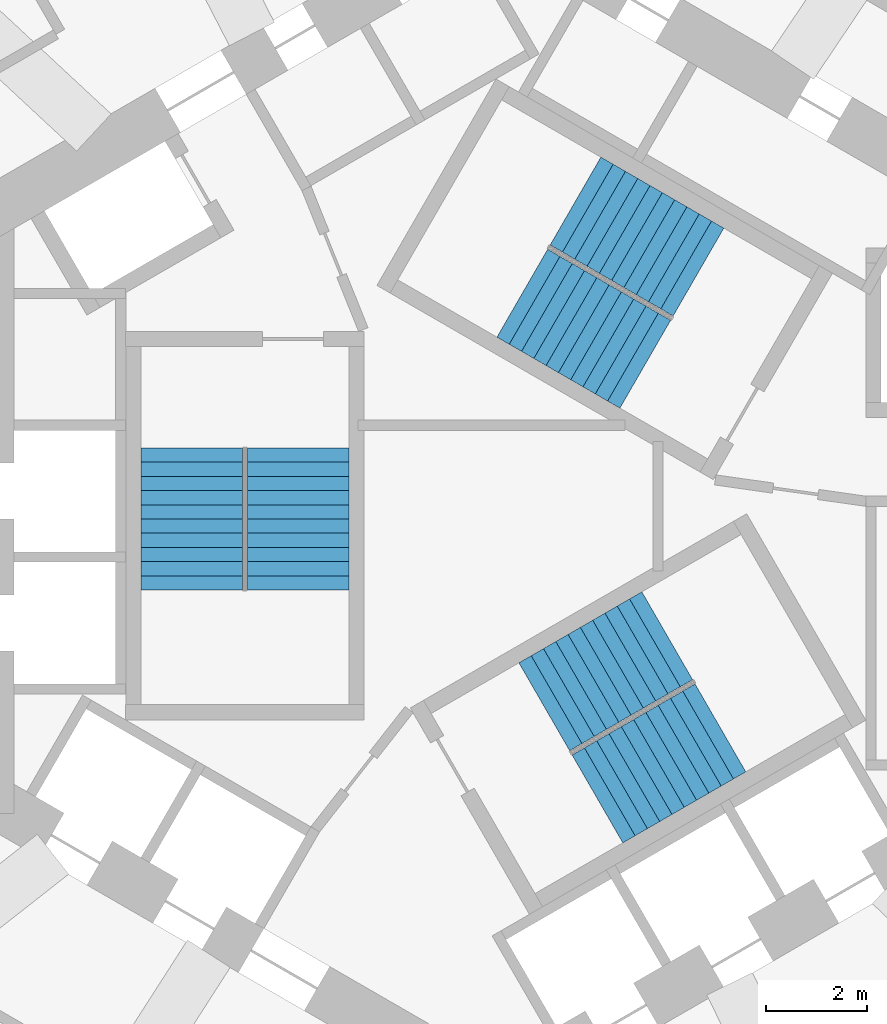
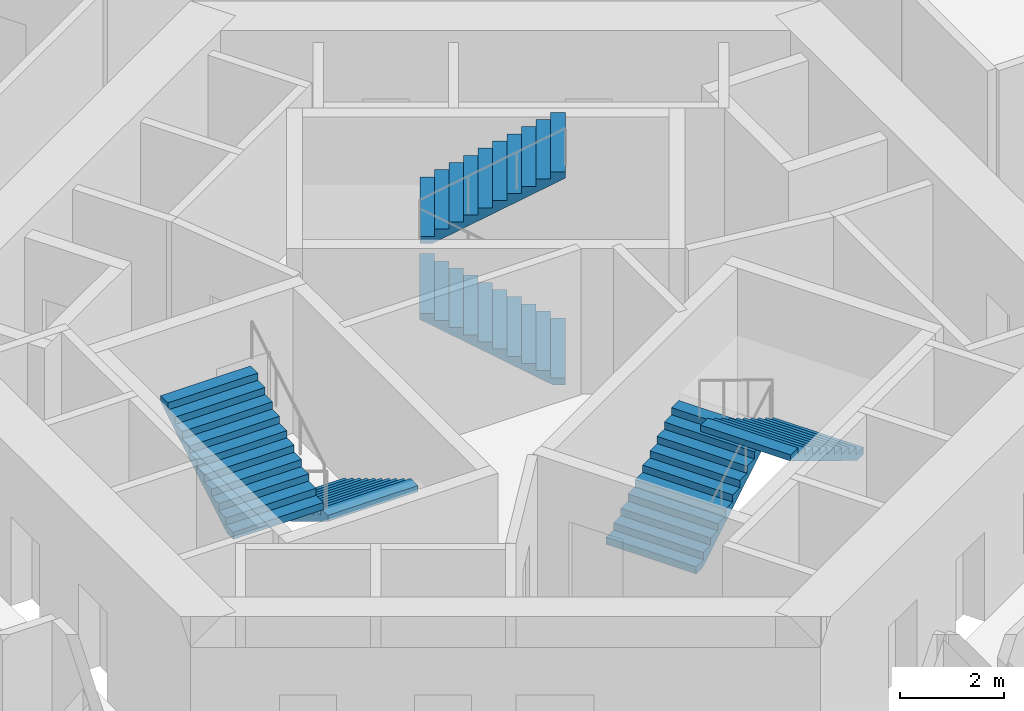
# One storey, part 9 of 11: 6 stair flights, 3 elements without a shape of their own.
"""IFC4 building model written with IfcOpenShell, lengths in metres."""

from ifc_helpers import new_model, si_unit, direction, frame, origin, place, context, subcontext, project, spatial, triangles, source, transform, mapped, material, type_object, element, aggregate, save


model = new_model("IFC4")

# Units and contexts
model_context = context("Model", 3, precision=1e-05, world=origin(), true_north=direction((0.0, 1.0)))
body_context = subcontext(model_context, "Body", "Model", "MODEL_VIEW")
ifc_project = project(units=[si_unit("LENGTHUNIT", "METRE"), si_unit("AREAUNIT", "SQUARE_METRE"), si_unit("VOLUMEUNIT", "CUBIC_METRE"), si_unit("PLANEANGLEUNIT", "RADIAN"), si_unit("MASSUNIT", "GRAM", prefix="KILO")], contexts=[model_context])

# Site, building, storey
site_placement = place(None, origin())
site = spatial("IfcSite", under=ifc_project, at=site_placement, CompositionType="ELEMENT")
building_placement = place(site_placement, origin())
building = spatial("IfcBuilding", under=site, at=building_placement, Name="Vanh Sen Convention Tower", CompositionType="ELEMENT")
storey_placement = place(building_placement, frame((0.0, 0.0, 150.300048828125)))
storey = spatial("IfcBuildingStorey", under=building, at=storey_placement, Name="L36", CompositionType="ELEMENT", Elevation=150.300048828125)

# Stair, stair flights
ifc_material_1 = material(Name="Concrete C50/60", Category="concrete")
stair_type_1 = type_object("IfcStairType", Name="Exit stair ST1 22 risers at 168.2", PredefinedType="HALF_TURN_STAIR", material=ifc_material_1)
stair_1_placement = place(storey_placement, origin())
stair_1 = element("IfcStair", 1, at=stair_1_placement, inside=storey, type_object=stair_type_1, Name="Exit stair ST1 L36", PredefinedType="HALF_TURN_STAIR")
ifc_material_2 = material(Name="Concrete C40/50", Category="concrete")
stair_flight_type = type_object("IfcStairFlightType", Name="Stair flight 2000", PredefinedType="STRAIGHT", material=ifc_material_2)
shared_shape = source(origin(), body_context, "Body", "Tessellation", [
    triangles([(0.24267578125, 1.0, 0.0), (0.0, 1.0, 0.0), (0.0, 1.0, 0.168212890625), (0.280029296875, 1.0, 0.168212890625), (0.280029296875, 1.0, 0.33642578125), (0.56005859375, 1.0, 0.33642578125), (0.56005859375, 1.0, 0.504638671875), (0.840087890625, 1.0, 0.504638671875), (0.840087890625, 1.0, 0.672607421875), (1.1201171875, 1.0, 0.672607421875), (1.1201171875, 1.0, 0.8408203125), (1.39990234375, 1.0, 0.8408203125), (1.39990234375, 1.0, 1.009033203125), (1.679931640625, 1.0, 1.009033203125), (1.679931640625, 1.0, 1.17724609375), (1.9599609375, 1.0, 1.17724609375), (1.9599609375, 1.0, 1.345458984375), (2.239990234375, 1.0, 1.345458984375), (2.239990234375, 1.0, 1.513671875), (2.52001953125, 1.0, 1.513671875), (2.52001953125, 1.0, 1.681884765625), (2.800048828125, 1.0, 1.681884765625), (2.800048828125, 1.0, 1.535888671875), (0.24267578125, -1.0, 0.0), (0.0, -1.0, 0.0), (0.0, -1.0, 0.168212890625), (0.280029296875, -1.0, 0.168212890625), (0.280029296875, -1.0, 0.33642578125), (0.56005859375, -1.0, 0.33642578125), (0.56005859375, -1.0, 0.504638671875), (0.840087890625, -1.0, 0.504638671875), (0.840087890625, -1.0, 0.672607421875), (1.1201171875, -1.0, 0.672607421875), (1.1201171875, -1.0, 0.8408203125), (1.39990234375, -1.0, 0.8408203125), (1.39990234375, -1.0, 1.009033203125), (1.679931640625, -1.0, 1.009033203125), (1.679931640625, -1.0, 1.17724609375), (1.9599609375, -1.0, 1.17724609375), (1.9599609375, -1.0, 1.345458984375), (2.239990234375, -1.0, 1.345458984375), (2.239990234375, -1.0, 1.513671875), (2.52001953125, -1.0, 1.513671875), (2.52001953125, -1.0, 1.681884765625), (2.800048828125, -1.0, 1.681884765625), (2.800048828125, -1.0, 1.535888671875), (0.0, 0.0400390625, 0.0), (0.0, 0.0390625, 0.0), (0.0, 0.0380859375, 0.0), (0.0, 0.037109375, 0.0), (0.0, 0.035888671875, 0.0), (0.0, 0.034912109375, 0.0), (0.0, 0.033935546875, 0.0), (0.0, 0.032958984375, 0.0), (0.0, 0.031982421875, 0.0), (0.0, 0.031005859375, 0.0), (0.0, 0.030029296875, 0.0), (0.0, 0.029052734375, 0.0), (0.0, 0.028076171875, 0.0), (0.0, 0.027099609375, 0.0), (0.0, 0.02587890625, 0.0), (0.0, 0.02490234375, 0.0), (0.0, 0.02392578125, 0.0), (0.0, 0.02294921875, 0.0), (0.0, 0.02197265625, 0.0), (0.0, 0.02099609375, 0.0), (0.0, 0.02001953125, 0.0), (0.0, 0.01904296875, 0.0), (0.0, 0.01806640625, 0.0), (0.0, 0.01708984375, 0.0), (0.0, 0.01611328125, 0.0), (0.0, 0.014892578125, 0.0), (0.0, 0.013916015625, 0.0), (0.0, 0.012939453125, 0.0), (0.0, 0.011962890625, 0.0), (0.0, 0.010986328125, 0.0), (0.0, 0.010009765625, 0.0), (0.0, 0.009033203125, 0.0), (0.0, 0.008056640625, 0.0), (0.0, 0.007080078125, 0.0), (0.0, 0.006103515625, 0.0), (0.0, 0.0048828125, 0.0), (0.0, 0.00390625, 0.0), (0.0, 0.0029296875, 0.0), (0.0, 0.001953125, 0.0), (0.0, 0.0009765625, 0.0), (0.0, 0.0, 0.0), (0.0, -0.0009765625, 0.0), (0.0, -0.001953125, 0.0), (0.0, -0.0029296875, 0.0), (0.0, -0.00390625, 0.0), (0.0, -0.0048828125, 0.0), (0.0, -0.006103515625, 0.0), (0.0, -0.007080078125, 0.0), (0.0, -0.008056640625, 0.0), (0.0, -0.009033203125, 0.0), (0.0, -0.010009765625, 0.0), (0.0, -0.010986328125, 0.0), (0.0, -0.011962890625, 0.0), (0.0, -0.012939453125, 0.0), (0.0, -0.013916015625, 0.0), (0.0, -0.014892578125, 0.0), (0.0, -0.01611328125, 0.0), (0.0, -0.01708984375, 0.0), (0.0, -0.01806640625, 0.0), (0.0, -0.01904296875, 0.0), (0.0, -0.02001953125, 0.0), (0.0, -0.02099609375, 0.0), (0.0, -0.02197265625, 0.0), (0.0, -0.02294921875, 0.0), (0.0, -0.02392578125, 0.0), (0.0, -0.02490234375, 0.0), (0.0, -0.02587890625, 0.0), (0.0, -0.027099609375, 0.0), (0.0, -0.028076171875, 0.0), (0.0, -0.029052734375, 0.0), (0.0, -0.030029296875, 0.0), (0.0, -0.031005859375, 0.0), (0.0, -0.031982421875, 0.0), (0.0, -0.032958984375, 0.0), (0.0, -0.033935546875, 0.0), (0.0, -0.034912109375, 0.0), (0.0, -0.035888671875, 0.0), (0.0, -0.037109375, 0.0), (0.0, -0.0380859375, 0.0), (0.0, -0.0390625, 0.0), (0.0, -0.0400390625, 0.0), (0.0, 0.0400390625, 0.168212890625), (0.0, 0.0390625, 0.168212890625), (0.0, 0.0380859375, 0.168212890625), (0.0, 0.037109375, 0.168212890625), (0.0, 0.035888671875, 0.168212890625), (0.0, 0.034912109375, 0.168212890625), (0.0, 0.033935546875, 0.168212890625), (0.0, 0.032958984375, 0.168212890625), (0.0, 0.031982421875, 0.168212890625), (0.0, 0.031005859375, 0.168212890625), (0.0, 0.030029296875, 0.168212890625), (0.0, 0.029052734375, 0.168212890625), (0.0, 0.028076171875, 0.168212890625), (0.0, 0.027099609375, 0.168212890625), (0.0, 0.02587890625, 0.168212890625), (0.0, 0.02490234375, 0.168212890625), (0.0, 0.02392578125, 0.168212890625), (0.0, 0.02294921875, 0.168212890625), (0.0, 0.02197265625, 0.168212890625), (0.0, 0.02099609375, 0.168212890625), (0.0, 0.02001953125, 0.168212890625), (0.0, 0.01904296875, 0.168212890625), (0.0, 0.01806640625, 0.168212890625), (0.0, 0.01708984375, 0.168212890625), (0.0, 0.01611328125, 0.168212890625), (0.0, 0.014892578125, 0.168212890625), (0.0, 0.013916015625, 0.168212890625), (0.0, 0.012939453125, 0.168212890625), (0.0, 0.011962890625, 0.168212890625), (0.0, 0.010986328125, 0.168212890625), (0.0, 0.010009765625, 0.168212890625), (0.0, 0.009033203125, 0.168212890625), (0.0, 0.008056640625, 0.168212890625), (0.0, 0.007080078125, 0.168212890625), (0.0, 0.006103515625, 0.168212890625), (0.0, 0.0048828125, 0.168212890625), (0.0, 0.00390625, 0.168212890625), (0.0, 0.0029296875, 0.168212890625), (0.0, 0.001953125, 0.168212890625), (0.0, 0.0009765625, 0.168212890625), (0.0, 0.0, 0.168212890625), (0.0, -0.0009765625, 0.168212890625), (0.0, -0.001953125, 0.168212890625), (0.0, -0.0029296875, 0.168212890625), (0.0, -0.00390625, 0.168212890625), (0.0, -0.0048828125, 0.168212890625), (0.0, -0.006103515625, 0.168212890625), (0.0, -0.007080078125, 0.168212890625), (0.0, -0.008056640625, 0.168212890625), (0.0, -0.009033203125, 0.168212890625), (0.0, -0.010009765625, 0.168212890625), (0.0, -0.010986328125, 0.168212890625), (0.0, -0.011962890625, 0.168212890625), (0.0, -0.012939453125, 0.168212890625), (0.0, -0.013916015625, 0.168212890625), (0.0, -0.014892578125, 0.168212890625), (0.0, -0.01611328125, 0.168212890625), (0.0, -0.01708984375, 0.168212890625), (0.0, -0.01806640625, 0.168212890625), (0.0, -0.01904296875, 0.168212890625), (0.0, -0.02001953125, 0.168212890625), (0.0, -0.02099609375, 0.168212890625), (0.0, -0.02197265625, 0.168212890625), (0.0, -0.02294921875, 0.168212890625), (0.0, -0.02392578125, 0.168212890625), (0.0, -0.02490234375, 0.168212890625), (0.0, -0.02587890625, 0.168212890625), (0.0, -0.027099609375, 0.168212890625), (0.0, -0.028076171875, 0.168212890625), (0.0, -0.029052734375, 0.168212890625), (0.0, -0.030029296875, 0.168212890625), (0.0, -0.031005859375, 0.168212890625), (0.0, -0.031982421875, 0.168212890625), (0.0, -0.032958984375, 0.168212890625), (0.0, -0.033935546875, 0.168212890625), (0.0, -0.034912109375, 0.168212890625), (0.0, -0.035888671875, 0.168212890625), (0.0, -0.037109375, 0.168212890625), (0.0, -0.0380859375, 0.168212890625), (0.0, -0.0390625, 0.168212890625), (0.0, -0.0400390625, 0.168212890625), (0.280029296875, 0.0, 0.168212890625), (0.280029296875, 0.0, 0.33642578125), (0.56005859375, 0.0, 0.33642578125), (0.56005859375, 0.0, 0.504638671875), (0.840087890625, 0.0, 0.504638671875), (0.840087890625, 0.0, 0.672607421875), (1.1201171875, 0.0, 0.672607421875), (1.1201171875, 0.0, 0.8408203125), (1.39990234375, 0.0, 0.8408203125), (1.39990234375, 0.0, 1.009033203125), (1.679931640625, 0.0, 1.009033203125), (1.679931640625, 0.0, 1.17724609375), (1.9599609375, 0.0, 1.17724609375), (1.9599609375, 0.0, 1.345458984375), (2.239990234375, 0.0, 1.345458984375), (2.239990234375, 0.0, 1.513671875), (2.52001953125, 0.0, 1.513671875), (2.52001953125, 0.0, 1.681884765625), (2.800048828125, 0.0400390625, 1.681884765625), (2.800048828125, 0.0390625, 1.681884765625), (2.800048828125, 0.0380859375, 1.681884765625), (2.800048828125, 0.037109375, 1.681884765625), (2.800048828125, 0.035888671875, 1.681884765625), (2.800048828125, 0.034912109375, 1.681884765625), (2.800048828125, 0.033935546875, 1.681884765625), (2.800048828125, 0.032958984375, 1.681884765625), (2.800048828125, 0.031982421875, 1.681884765625), (2.800048828125, 0.031005859375, 1.681884765625), (2.800048828125, 0.030029296875, 1.681884765625), (2.800048828125, 0.029052734375, 1.681884765625), (2.800048828125, 0.028076171875, 1.681884765625), (2.800048828125, 0.027099609375, 1.681884765625), (2.800048828125, 0.02587890625, 1.681884765625), (2.800048828125, 0.02490234375, 1.681884765625), (2.800048828125, 0.02392578125, 1.681884765625), (2.800048828125, 0.02294921875, 1.681884765625), (2.800048828125, 0.02197265625, 1.681884765625), (2.800048828125, 0.02099609375, 1.681884765625), (2.800048828125, 0.02001953125, 1.681884765625), (2.800048828125, 0.01904296875, 1.681884765625), (2.800048828125, 0.01806640625, 1.681884765625), (2.800048828125, 0.01708984375, 1.681884765625), (2.800048828125, 0.01611328125, 1.681884765625), (2.800048828125, 0.014892578125, 1.681884765625), (2.800048828125, 0.013916015625, 1.681884765625), (2.800048828125, 0.012939453125, 1.681884765625), (2.800048828125, 0.011962890625, 1.681884765625), (2.800048828125, 0.010986328125, 1.681884765625), (2.800048828125, 0.010009765625, 1.681884765625), (2.800048828125, 0.009033203125, 1.681884765625), (2.800048828125, 0.008056640625, 1.681884765625), (2.800048828125, 0.007080078125, 1.681884765625), (2.800048828125, 0.006103515625, 1.681884765625), (2.800048828125, 0.0048828125, 1.681884765625), (2.800048828125, 0.00390625, 1.681884765625), (2.800048828125, 0.0029296875, 1.681884765625), (2.800048828125, 0.001953125, 1.681884765625), (2.800048828125, 0.0009765625, 1.681884765625), (2.800048828125, 0.0, 1.681884765625), (2.800048828125, -0.0009765625, 1.681884765625), (2.800048828125, -0.001953125, 1.681884765625), (2.800048828125, -0.0029296875, 1.681884765625), (2.800048828125, -0.00390625, 1.681884765625), (2.800048828125, -0.0048828125, 1.681884765625), (2.800048828125, -0.006103515625, 1.681884765625), (2.800048828125, -0.007080078125, 1.681884765625), (2.800048828125, -0.008056640625, 1.681884765625), (2.800048828125, -0.009033203125, 1.681884765625), (2.800048828125, -0.010009765625, 1.681884765625), (2.800048828125, -0.010986328125, 1.681884765625), (2.800048828125, -0.011962890625, 1.681884765625), (2.800048828125, -0.012939453125, 1.681884765625), (2.800048828125, -0.013916015625, 1.681884765625), (2.800048828125, -0.014892578125, 1.681884765625), (2.800048828125, -0.01611328125, 1.681884765625), (2.800048828125, -0.01708984375, 1.681884765625), (2.800048828125, -0.01806640625, 1.681884765625), (2.800048828125, -0.01904296875, 1.681884765625), (2.800048828125, -0.02001953125, 1.681884765625), (2.800048828125, -0.02099609375, 1.681884765625), (2.800048828125, -0.02197265625, 1.681884765625), (2.800048828125, -0.02294921875, 1.681884765625), (2.800048828125, -0.02392578125, 1.681884765625), (2.800048828125, -0.02490234375, 1.681884765625), (2.800048828125, -0.02587890625, 1.681884765625), (2.800048828125, -0.027099609375, 1.681884765625), (2.800048828125, -0.028076171875, 1.681884765625), (2.800048828125, -0.029052734375, 1.681884765625), (2.800048828125, -0.030029296875, 1.681884765625), (2.800048828125, -0.031005859375, 1.681884765625), (2.800048828125, -0.031982421875, 1.681884765625), (2.800048828125, -0.032958984375, 1.681884765625), (2.800048828125, -0.033935546875, 1.681884765625), (2.800048828125, -0.034912109375, 1.681884765625), (2.800048828125, -0.035888671875, 1.681884765625), (2.800048828125, -0.037109375, 1.681884765625), (2.800048828125, -0.0380859375, 1.681884765625), (2.800048828125, -0.0390625, 1.681884765625), (2.800048828125, -0.0400390625, 1.681884765625), (2.800048828125, 0.0400390625, 1.535888671875), (2.800048828125, 0.0390625, 1.535888671875), (2.800048828125, 0.0380859375, 1.535888671875), (2.800048828125, 0.037109375, 1.535888671875), (2.800048828125, 0.035888671875, 1.535888671875), (2.800048828125, 0.034912109375, 1.535888671875), (2.800048828125, 0.033935546875, 1.535888671875), (2.800048828125, 0.032958984375, 1.535888671875), (2.800048828125, 0.031982421875, 1.535888671875), (2.800048828125, 0.031005859375, 1.535888671875), (2.800048828125, 0.030029296875, 1.535888671875), (2.800048828125, 0.029052734375, 1.535888671875), (2.800048828125, 0.028076171875, 1.535888671875), (2.800048828125, 0.027099609375, 1.535888671875), (2.800048828125, 0.02587890625, 1.535888671875), (2.800048828125, 0.02490234375, 1.535888671875), (2.800048828125, 0.02392578125, 1.535888671875), (2.800048828125, 0.02294921875, 1.535888671875), (2.800048828125, 0.02197265625, 1.535888671875), (2.800048828125, 0.02099609375, 1.535888671875), (2.800048828125, 0.02001953125, 1.535888671875), (2.800048828125, 0.01904296875, 1.535888671875), (2.800048828125, 0.01806640625, 1.535888671875), (2.800048828125, 0.01708984375, 1.535888671875), (2.800048828125, 0.01611328125, 1.535888671875), (2.800048828125, 0.014892578125, 1.535888671875), (2.800048828125, 0.013916015625, 1.535888671875), (2.800048828125, 0.012939453125, 1.535888671875), (2.800048828125, 0.011962890625, 1.535888671875), (2.800048828125, 0.010986328125, 1.535888671875), (2.800048828125, 0.010009765625, 1.535888671875), (2.800048828125, 0.009033203125, 1.535888671875), (2.800048828125, 0.008056640625, 1.535888671875), (2.800048828125, 0.007080078125, 1.535888671875), (2.800048828125, 0.006103515625, 1.535888671875), (2.800048828125, 0.0048828125, 1.535888671875), (2.800048828125, 0.00390625, 1.535888671875), (2.800048828125, 0.0029296875, 1.535888671875), (2.800048828125, 0.001953125, 1.535888671875), (2.800048828125, 0.0009765625, 1.535888671875), (2.800048828125, 0.0, 1.535888671875), (2.800048828125, -0.0009765625, 1.535888671875), (2.800048828125, -0.001953125, 1.535888671875), (2.800048828125, -0.0029296875, 1.535888671875), (2.800048828125, -0.00390625, 1.535888671875), (2.800048828125, -0.0048828125, 1.535888671875), (2.800048828125, -0.006103515625, 1.535888671875), (2.800048828125, -0.007080078125, 1.535888671875), (2.800048828125, -0.008056640625, 1.535888671875), (2.800048828125, -0.009033203125, 1.535888671875), (2.800048828125, -0.010009765625, 1.535888671875), (2.800048828125, -0.010986328125, 1.535888671875), (2.800048828125, -0.011962890625, 1.535888671875), (2.800048828125, -0.012939453125, 1.535888671875), (2.800048828125, -0.013916015625, 1.535888671875), (2.800048828125, -0.014892578125, 1.535888671875), (2.800048828125, -0.01611328125, 1.535888671875), (2.800048828125, -0.01708984375, 1.535888671875), (2.800048828125, -0.01806640625, 1.535888671875), (2.800048828125, -0.01904296875, 1.535888671875), (2.800048828125, -0.02001953125, 1.535888671875), (2.800048828125, -0.02099609375, 1.535888671875), (2.800048828125, -0.02197265625, 1.535888671875), (2.800048828125, -0.02294921875, 1.535888671875), (2.800048828125, -0.02392578125, 1.535888671875), (2.800048828125, -0.02490234375, 1.535888671875), (2.800048828125, -0.02587890625, 1.535888671875), (2.800048828125, -0.027099609375, 1.535888671875), (2.800048828125, -0.028076171875, 1.535888671875), (2.800048828125, -0.029052734375, 1.535888671875), (2.800048828125, -0.030029296875, 1.535888671875), (2.800048828125, -0.031005859375, 1.535888671875), (2.800048828125, -0.031982421875, 1.535888671875), (2.800048828125, -0.032958984375, 1.535888671875), (2.800048828125, -0.033935546875, 1.535888671875), (2.800048828125, -0.034912109375, 1.535888671875), (2.800048828125, -0.035888671875, 1.535888671875), (2.800048828125, -0.037109375, 1.535888671875), (2.800048828125, -0.0380859375, 1.535888671875), (2.800048828125, -0.0390625, 1.535888671875), (2.800048828125, -0.0400390625, 1.535888671875), (0.24267578125, 0.0, 0.0)], [[1, 2, 3], [1, 3, 4], [4, 5, 6], [1, 4, 6], [6, 7, 8], [1, 6, 8], [8, 9, 10], [1, 8, 10], [10, 11, 12], [1, 10, 12], [12, 13, 14], [1, 12, 14], [14, 15, 16], [1, 14, 16], [16, 17, 18], [1, 16, 18], [18, 19, 20], [1, 18, 20], [20, 21, 22], [1, 20, 22], [22, 23, 1], [24, 26, 25], [24, 27, 26], [27, 29, 28], [24, 29, 27], [29, 31, 30], [24, 31, 29], [31, 33, 32], [24, 33, 31], [33, 35, 34], [24, 35, 33], [35, 37, 36], [24, 37, 35], [37, 39, 38], [24, 39, 37], [39, 41, 40], [24, 41, 39], [41, 43, 42], [24, 43, 41], [43, 45, 44], [24, 45, 43], [45, 24, 46], [2, 128, 3], [2, 47, 128], [47, 129, 128], [47, 48, 129], [48, 130, 129], [48, 49, 130], [49, 131, 130], [49, 50, 131], [50, 132, 131], [50, 51, 132], [51, 133, 132], [51, 52, 133], [52, 134, 133], [52, 53, 134], [53, 135, 134], [53, 54, 135], [54, 136, 135], [54, 55, 136], [55, 137, 136], [55, 56, 137], [56, 138, 137], [56, 57, 138], [57, 139, 138], [57, 58, 139], [58, 140, 139], [58, 59, 140], [59, 141, 140], [59, 60, 141], [60, 142, 141], [60, 61, 142], [61, 143, 142], [61, 62, 143], [62, 144, 143], [62, 63, 144], [63, 145, 144], [63, 64, 145], [64, 146, 145], [64, 65, 146], [65, 147, 146], [65, 66, 147], [66, 148, 147], [66, 67, 148], [67, 149, 148], [67, 68, 149], [68, 150, 149], [68, 69, 150], [69, 151, 150], [69, 70, 151], [70, 152, 151], [70, 71, 152], [71, 153, 152], [71, 72, 153], [72, 154, 153], [72, 73, 154], [73, 155, 154], [73, 74, 155], [74, 156, 155], [74, 75, 156], [75, 157, 156], [75, 76, 157], [76, 158, 157], [76, 77, 158], [77, 159, 158], [77, 78, 159], [78, 160, 159], [78, 79, 160], [79, 161, 160], [79, 80, 161], [80, 162, 161], [80, 81, 162], [81, 163, 162], [81, 82, 163], [82, 164, 163], [82, 83, 164], [83, 165, 164], [83, 84, 165], [84, 166, 165], [84, 85, 166], [85, 167, 166], [85, 86, 167], [86, 168, 167], [86, 87, 168], [87, 88, 168], [168, 88, 169], [88, 89, 169], [169, 89, 170], [89, 90, 170], [170, 90, 171], [90, 91, 171], [171, 91, 172], [91, 92, 172], [172, 92, 173], [92, 93, 173], [173, 93, 174], [93, 94, 174], [174, 94, 175], [94, 95, 175], [175, 95, 176], [95, 96, 176], [176, 96, 177], [96, 97, 177], [177, 97, 178], [97, 98, 178], [178, 98, 179], [98, 99, 179], [179, 99, 180], [99, 100, 180], [180, 100, 181], [100, 101, 181], [181, 101, 182], [101, 102, 182], [182, 102, 183], [102, 103, 183], [183, 103, 184], [103, 104, 184], [184, 104, 185], [104, 105, 185], [185, 105, 186], [105, 106, 186], [186, 106, 187], [106, 107, 187], [187, 107, 188], [107, 108, 188], [188, 108, 189], [108, 109, 189], [189, 109, 190], [109, 110, 190], [190, 110, 191], [110, 111, 191], [191, 111, 192], [111, 112, 192], [192, 112, 193], [112, 113, 193], [193, 113, 194], [113, 114, 194], [194, 114, 195], [114, 115, 195], [195, 115, 196], [115, 116, 196], [196, 116, 197], [116, 117, 197], [197, 117, 198], [117, 118, 198], [198, 118, 199], [118, 119, 199], [199, 119, 200], [119, 120, 200], [200, 120, 201], [120, 121, 201], [201, 121, 202], [121, 122, 202], [202, 122, 203], [122, 123, 203], [203, 123, 204], [123, 124, 204], [204, 124, 205], [124, 125, 205], [205, 125, 206], [125, 126, 206], [206, 126, 207], [126, 127, 207], [207, 127, 208], [127, 25, 208], [208, 25, 26], [4, 3, 128], [4, 128, 129], [4, 129, 130], [4, 130, 131], [4, 131, 132], [4, 132, 133], [4, 133, 134], [4, 134, 135], [4, 135, 136], [4, 136, 137], [4, 137, 138], [4, 138, 139], [4, 139, 140], [4, 140, 141], [4, 141, 142], [4, 142, 143], [4, 143, 144], [4, 144, 145], [4, 145, 146], [4, 146, 147], [4, 147, 148], [4, 148, 149], [4, 149, 150], [4, 150, 151], [4, 151, 152], [4, 152, 153], [4, 153, 154], [4, 154, 155], [4, 155, 156], [4, 156, 157], [4, 157, 158], [4, 158, 159], [4, 159, 160], [4, 160, 161], [4, 161, 162], [4, 162, 163], [4, 163, 164], [4, 164, 165], [4, 165, 166], [4, 166, 167], [4, 167, 168], [27, 168, 169], [27, 169, 170], [27, 170, 171], [27, 171, 172], [27, 172, 173], [27, 173, 174], [27, 174, 175], [27, 175, 176], [27, 176, 177], [27, 177, 178], [27, 178, 179], [27, 179, 180], [27, 180, 181], [27, 181, 182], [27, 182, 183], [27, 183, 184], [27, 184, 185], [27, 185, 186], [27, 186, 187], [27, 187, 188], [27, 188, 189], [27, 189, 190], [27, 190, 191], [27, 191, 192], [27, 192, 193], [27, 193, 194], [27, 194, 195], [27, 195, 196], [27, 196, 197], [27, 197, 198], [27, 198, 199], [27, 199, 200], [27, 200, 201], [27, 201, 202], [27, 202, 203], [27, 203, 204], [27, 204, 205], [27, 205, 206], [27, 206, 207], [27, 207, 208], [27, 208, 26], [4, 168, 209], [27, 209, 168], [4, 210, 5], [4, 209, 210], [209, 27, 210], [210, 27, 28], [5, 211, 6], [5, 210, 211], [210, 28, 211], [211, 28, 29], [6, 212, 7], [6, 211, 212], [211, 29, 212], [212, 29, 30], [7, 213, 8], [7, 212, 213], [212, 30, 213], [213, 30, 31], [8, 214, 9], [8, 213, 214], [213, 31, 214], [214, 31, 32], [9, 215, 10], [9, 214, 215], [214, 32, 215], [215, 32, 33], [10, 216, 11], [10, 215, 216], [215, 33, 216], [216, 33, 34], [11, 217, 12], [11, 216, 217], [216, 34, 217], [217, 34, 35], [12, 218, 13], [12, 217, 218], [217, 35, 218], [218, 35, 36], [13, 219, 14], [13, 218, 219], [218, 36, 219], [219, 36, 37], [14, 220, 15], [14, 219, 220], [219, 37, 220], [220, 37, 38], [15, 221, 16], [15, 220, 221], [220, 38, 221], [221, 38, 39], [16, 222, 17], [16, 221, 222], [221, 39, 222], [222, 39, 40], [17, 223, 18], [17, 222, 223], [222, 40, 223], [223, 40, 41], [18, 224, 19], [18, 223, 224], [223, 41, 224], [224, 41, 42], [19, 225, 20], [19, 224, 225], [224, 42, 225], [225, 42, 43], [20, 226, 21], [20, 225, 226], [225, 43, 226], [226, 43, 44], [21, 227, 22], [21, 228, 227], [21, 229, 228], [21, 230, 229], [21, 231, 230], [21, 232, 231], [21, 233, 232], [21, 234, 233], [21, 235, 234], [21, 236, 235], [21, 237, 236], [21, 238, 237], [21, 239, 238], [21, 240, 239], [21, 241, 240], [21, 242, 241], [21, 243, 242], [21, 244, 243], [21, 245, 244], [21, 246, 245], [21, 247, 246], [21, 248, 247], [21, 249, 248], [21, 250, 249], [21, 251, 250], [21, 252, 251], [21, 253, 252], [21, 254, 253], [21, 255, 254], [21, 256, 255], [21, 257, 256], [21, 258, 257], [21, 259, 258], [21, 260, 259], [21, 261, 260], [21, 262, 261], [21, 263, 262], [21, 264, 263], [21, 265, 264], [21, 266, 265], [21, 267, 266], [44, 268, 267], [44, 269, 268], [44, 270, 269], [44, 271, 270], [44, 272, 271], [44, 273, 272], [44, 274, 273], [44, 275, 274], [44, 276, 275], [44, 277, 276], [44, 278, 277], [44, 279, 278], [44, 280, 279], [44, 281, 280], [44, 282, 281], [44, 283, 282], [44, 284, 283], [44, 285, 284], [44, 286, 285], [44, 287, 286], [44, 288, 287], [44, 289, 288], [44, 290, 289], [44, 291, 290], [44, 292, 291], [44, 293, 292], [44, 294, 293], [44, 295, 294], [44, 296, 295], [44, 297, 296], [44, 298, 297], [44, 299, 298], [44, 300, 299], [44, 301, 300], [44, 302, 301], [44, 303, 302], [44, 304, 303], [44, 305, 304], [44, 306, 305], [44, 307, 306], [44, 45, 307], [21, 226, 267], [44, 267, 226], [22, 308, 23], [22, 227, 308], [227, 309, 308], [227, 228, 309], [228, 310, 309], [228, 229, 310], [229, 311, 310], [229, 230, 311], [230, 312, 311], [230, 231, 312], [231, 313, 312], [231, 232, 313], [232, 314, 313], [232, 233, 314], [233, 315, 314], [233, 234, 315], [234, 316, 315], [234, 235, 316], [235, 317, 316], [235, 236, 317], [236, 318, 317], [236, 237, 318], [237, 319, 318], [237, 238, 319], [238, 320, 319], [238, 239, 320], [239, 321, 320], [239, 240, 321], [240, 322, 321], [240, 241, 322], [241, 323, 322], [241, 242, 323], [242, 324, 323], [242, 243, 324], [243, 325, 324], [243, 244, 325], [244, 326, 325], [244, 245, 326], [245, 327, 326], [245, 246, 327], [246, 328, 327], [246, 247, 328], [247, 329, 328], [247, 248, 329], [248, 330, 329], [248, 249, 330], [249, 331, 330], [249, 250, 331], [250, 332, 331], [250, 251, 332], [251, 333, 332], [251, 252, 333], [252, 334, 333], [252, 253, 334], [253, 335, 334], [253, 254, 335], [254, 336, 335], [254, 255, 336], [255, 337, 336], [255, 256, 337], [256, 338, 337], [256, 257, 338], [257, 339, 338], [257, 258, 339], [258, 340, 339], [258, 259, 340], [259, 341, 340], [259, 260, 341], [260, 342, 341], [260, 261, 342], [261, 343, 342], [261, 262, 343], [262, 344, 343], [262, 263, 344], [263, 345, 344], [263, 264, 345], [264, 346, 345], [264, 265, 346], [265, 347, 346], [265, 266, 347], [266, 348, 347], [266, 267, 348], [267, 268, 348], [348, 268, 349], [268, 269, 349], [349, 269, 350], [269, 270, 350], [350, 270, 351], [270, 271, 351], [351, 271, 352], [271, 272, 352], [352, 272, 353], [272, 273, 353], [353, 273, 354], [273, 274, 354], [354, 274, 355], [274, 275, 355], [355, 275, 356], [275, 276, 356], [356, 276, 357], [276, 277, 357], [357, 277, 358], [277, 278, 358], [358, 278, 359], [278, 279, 359], [359, 279, 360], [279, 280, 360], [360, 280, 361], [280, 281, 361], [361, 281, 362], [281, 282, 362], [362, 282, 363], [282, 283, 363], [363, 283, 364], [283, 284, 364], [364, 284, 365], [284, 285, 365], [365, 285, 366], [285, 286, 366], [366, 286, 367], [286, 287, 367], [367, 287, 368], [287, 288, 368], [368, 288, 369], [288, 289, 369], [369, 289, 370], [289, 290, 370], [370, 290, 371], [290, 291, 371], [371, 291, 372], [291, 292, 372], [372, 292, 373], [292, 293, 373], [373, 293, 374], [293, 294, 374], [374, 294, 375], [294, 295, 375], [375, 295, 376], [295, 296, 376], [376, 296, 377], [296, 297, 377], [377, 297, 378], [297, 298, 378], [378, 298, 379], [298, 299, 379], [379, 299, 380], [299, 300, 380], [380, 300, 381], [300, 301, 381], [381, 301, 382], [301, 302, 382], [382, 302, 383], [302, 303, 383], [383, 303, 384], [303, 304, 384], [384, 304, 385], [304, 305, 385], [385, 305, 386], [305, 306, 386], [386, 306, 387], [306, 307, 387], [387, 307, 388], [307, 45, 388], [388, 45, 46], [1, 23, 308], [1, 308, 309], [1, 309, 310], [1, 310, 311], [1, 311, 312], [1, 312, 313], [1, 313, 314], [1, 314, 315], [1, 315, 316], [1, 316, 317], [1, 317, 318], [1, 318, 319], [1, 319, 320], [1, 320, 321], [1, 321, 322], [1, 322, 323], [1, 323, 324], [1, 324, 325], [1, 325, 326], [1, 326, 327], [1, 327, 328], [1, 328, 329], [1, 329, 330], [1, 330, 331], [1, 331, 332], [1, 332, 333], [1, 333, 334], [1, 334, 335], [1, 335, 336], [1, 336, 337], [1, 337, 338], [1, 338, 339], [1, 339, 340], [1, 340, 341], [1, 341, 342], [1, 342, 343], [1, 343, 344], [1, 344, 345], [1, 345, 346], [1, 346, 347], [1, 347, 348], [24, 348, 349], [24, 349, 350], [24, 350, 351], [24, 351, 352], [24, 352, 353], [24, 353, 354], [24, 354, 355], [24, 355, 356], [24, 356, 357], [24, 357, 358], [24, 358, 359], [24, 359, 360], [24, 360, 361], [24, 361, 362], [24, 362, 363], [24, 363, 364], [24, 364, 365], [24, 365, 366], [24, 366, 367], [24, 367, 368], [24, 368, 369], [24, 369, 370], [24, 370, 371], [24, 371, 372], [24, 372, 373], [24, 373, 374], [24, 374, 375], [24, 375, 376], [24, 376, 377], [24, 377, 378], [24, 378, 379], [24, 379, 380], [24, 380, 381], [24, 381, 382], [24, 382, 383], [24, 383, 384], [24, 384, 385], [24, 385, 386], [24, 386, 387], [24, 387, 388], [24, 388, 46], [1, 348, 389], [24, 389, 348], [1, 47, 2], [1, 48, 47], [1, 49, 48], [1, 50, 49], [1, 51, 50], [1, 52, 51], [1, 53, 52], [1, 54, 53], [1, 55, 54], [1, 56, 55], [1, 57, 56], [1, 58, 57], [1, 59, 58], [1, 60, 59], [1, 61, 60], [1, 62, 61], [1, 63, 62], [1, 64, 63], [1, 65, 64], [1, 66, 65], [1, 67, 66], [1, 68, 67], [1, 69, 68], [1, 70, 69], [1, 71, 70], [1, 72, 71], [1, 73, 72], [1, 74, 73], [1, 75, 74], [1, 76, 75], [1, 77, 76], [1, 78, 77], [1, 79, 78], [1, 80, 79], [1, 81, 80], [1, 82, 81], [1, 83, 82], [1, 84, 83], [1, 85, 84], [1, 86, 85], [1, 87, 86], [24, 88, 87], [24, 89, 88], [24, 90, 89], [24, 91, 90], [24, 92, 91], [24, 93, 92], [24, 94, 93], [24, 95, 94], [24, 96, 95], [24, 97, 96], [24, 98, 97], [24, 99, 98], [24, 100, 99], [24, 101, 100], [24, 102, 101], [24, 103, 102], [24, 104, 103], [24, 105, 104], [24, 106, 105], [24, 107, 106], [24, 108, 107], [24, 109, 108], [24, 110, 109], [24, 111, 110], [24, 112, 111], [24, 113, 112], [24, 114, 113], [24, 115, 114], [24, 116, 115], [24, 117, 116], [24, 118, 117], [24, 119, 118], [24, 120, 119], [24, 121, 120], [24, 122, 121], [24, 123, 122], [24, 124, 123], [24, 125, 124], [24, 126, 125], [24, 127, 126], [24, 25, 127], [1, 389, 87], [24, 87, 389]], closed=True),
])
stair_flight_1_placement = place(storey_placement, frame((2.94580078125, 2.802490234375, 0.0), z_axis=(0.0, 0.0, 1.0), x_axis=(-0.866025403784, 0.5, 0.0)))
stair_flight_1 = element("IfcStairFlight", 2, at=stair_flight_1_placement, type_object=stair_flight_type, Name="ST1 flight 1", NumberOfRisers=11, NumberOfTreads=10, PredefinedType="STRAIGHT", RiserHeight=0.168181818, TreadLength=0.28, context=body_context, shape_type="MappedRepresentation", body=[
    mapped(shared_shape, transform((0.0, 0.0, 0.0))),
])
stair_flight_2_placement = place(storey_placement, frame((1.571044921875, 6.021240234375, 1.849853515625), z_axis=(0.0, 0.0, 1.0), x_axis=(0.866025403784, -0.5, 0.0)))
stair_flight_2 = element("IfcStairFlight", 3, at=stair_flight_2_placement, type_object=stair_flight_type, Name="ST1 flight 2", NumberOfRisers=11, NumberOfTreads=10, PredefinedType="STRAIGHT", RiserHeight=0.168181818, TreadLength=0.28, context=body_context, shape_type="MappedRepresentation", body=[
    mapped(shared_shape, transform((0.0, 0.0, 0.0))),
])
aggregate(stair_1, [stair_flight_1, stair_flight_2])

stair_type_2 = type_object("IfcStairType", Name="Exit stair ST2 22 risers at 168.2", PredefinedType="HALF_TURN_STAIR", material=ifc_material_1)
stair_2_placement = place(storey_placement, origin())
stair_2 = element("IfcStair", 4, at=stair_2_placement, inside=storey, type_object=stair_type_2, Name="Exit stair ST2 L36", PredefinedType="HALF_TURN_STAIR")
stair_flight_3_placement = place(storey_placement, frame((-3.89990234375, 1.14990234375, 0.0), z_axis=(0.0, 0.0, 1.0), x_axis=(0.0, -1.0, 0.0)))
stair_flight_3 = element("IfcStairFlight", 5, at=stair_flight_3_placement, type_object=stair_flight_type, Name="ST2 flight 1", NumberOfRisers=11, NumberOfTreads=10, PredefinedType="STRAIGHT", RiserHeight=0.168181818, TreadLength=0.28, context=body_context, shape_type="MappedRepresentation", body=[
    mapped(shared_shape, transform((0.0, 0.0, 0.0))),
])
stair_flight_4_placement = place(storey_placement, frame((-6.0, -1.64990234375, 1.849853515625), z_axis=(0.0, 0.0, 1.0), x_axis=(0.0, 1.0, 0.0)))
stair_flight_4 = element("IfcStairFlight", 6, at=stair_flight_4_placement, type_object=stair_flight_type, Name="ST2 flight 2", NumberOfRisers=11, NumberOfTreads=10, PredefinedType="STRAIGHT", RiserHeight=0.168181818, TreadLength=0.28, context=body_context, shape_type="MappedRepresentation", body=[
    mapped(shared_shape, transform((0.0, 0.0, 0.0))),
])
aggregate(stair_2, [stair_flight_3, stair_flight_4])

stair_type_3 = type_object("IfcStairType", Name="Exit stair ST3 22 risers at 168.2", PredefinedType="HALF_TURN_STAIR", material=ifc_material_1)
stair_3_placement = place(storey_placement, origin())
stair_3 = element("IfcStair", 7, at=stair_3_placement, inside=storey, type_object=stair_type_3, Name="Exit stair ST3 L36", PredefinedType="HALF_TURN_STAIR")
stair_flight_5_placement = place(storey_placement, frame((0.9541015625, -3.952392578125, 0.0), z_axis=(0.0, 0.0, 1.0), x_axis=(0.866025403784, 0.5, 0.0)))
stair_flight_5 = element("IfcStairFlight", 8, at=stair_flight_5_placement, type_object=stair_flight_type, Name="ST3 flight 1", NumberOfRisers=11, NumberOfTreads=10, PredefinedType="STRAIGHT", RiserHeight=0.168181818, TreadLength=0.28, context=body_context, shape_type="MappedRepresentation", body=[
    mapped(shared_shape, transform((0.0, 0.0, 0.0))),
])
stair_flight_6_placement = place(storey_placement, frame((4.428955078125, -4.37109375, 1.849853515625), z_axis=(0.0, 0.0, 1.0), x_axis=(-0.866025403784, -0.5, 0.0)))
stair_flight_6 = element("IfcStairFlight", 9, at=stair_flight_6_placement, type_object=stair_flight_type, Name="ST3 flight 2", NumberOfRisers=11, NumberOfTreads=10, PredefinedType="STRAIGHT", RiserHeight=0.168181818, TreadLength=0.28, context=body_context, shape_type="MappedRepresentation", body=[
    mapped(shared_shape, transform((0.0, 0.0, 0.0))),
])
aggregate(stair_3, [stair_flight_5, stair_flight_6])

save(model, "model.ifc")
